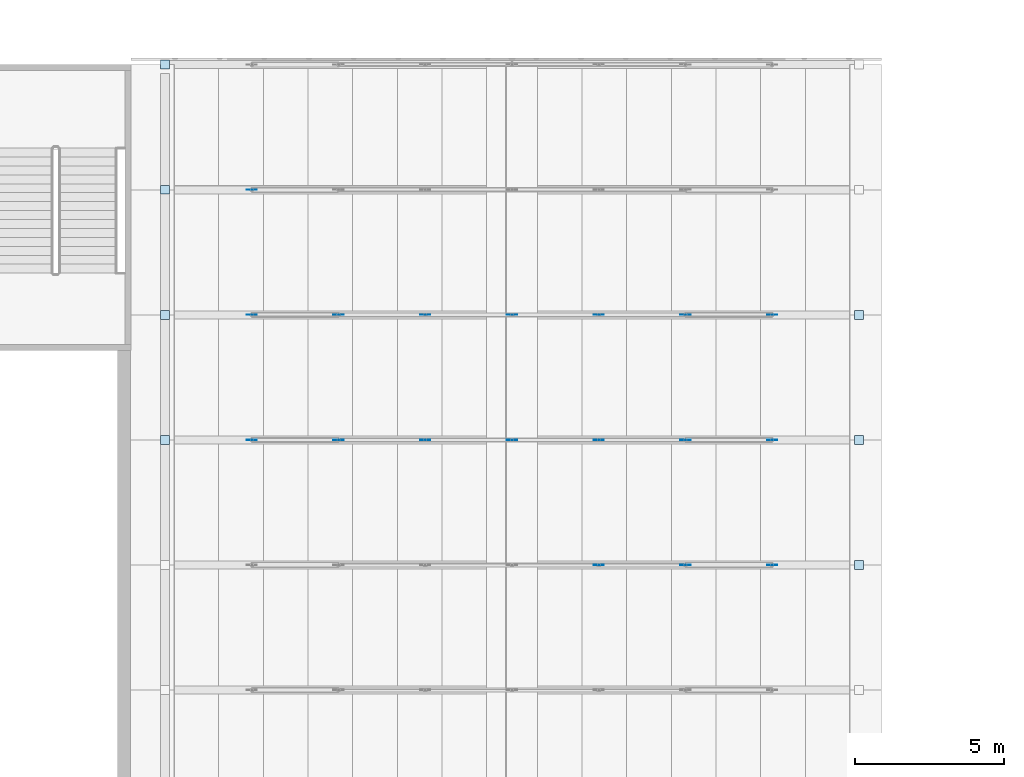
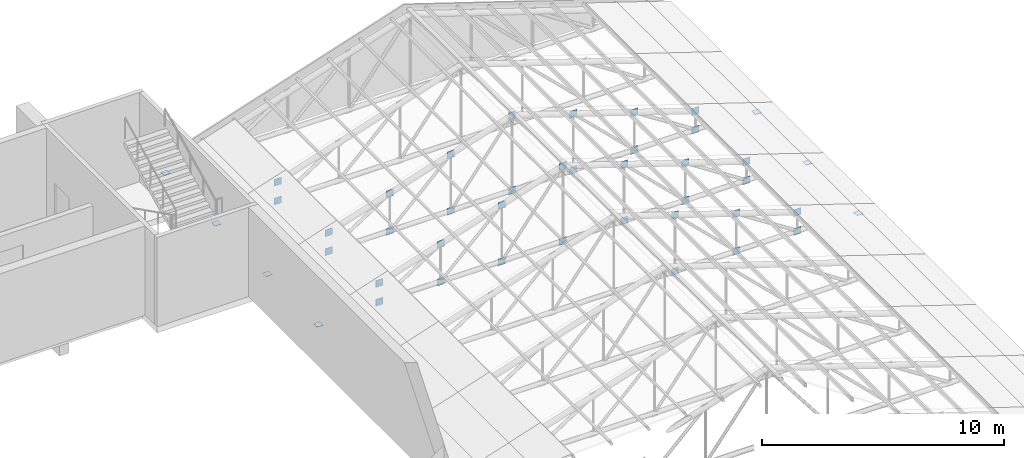
# One storey, part 77 of 95: 43 plates.
"""IFC4 building model written with IfcOpenShell, lengths in metres."""

import ifcopenshell
import ifcopenshell.guid

model = None  # the IFC model being written
_history = None  # IfcOwnerHistory: only IFC2X3 demands one
_inside = {}  # id of a spatial element -> (the spatial element, [elements in it])
_under = {}  # id of a project, library or spatial element -> (it, [spatial elements below it])
_declared = {}  # id of a project -> (the project, [libraries it declares])
_typed = {}  # id of a type object -> (the type object, [elements of that type])
_made_of = {}  # id of a material, layer set ... -> (it, [elements and type objects made of it])


def new_model(schema):
    """Start an empty IFC model of exactly this schema.

    Asked for "IFC4X3", IfcOpenShell would pick the latest addendum, in which some entities
    have other attributes; the version numbers below select the first issue.
    IFC2X3 requires an IfcOwnerHistory on every rooted entity: one is made here for all.
    """
    global model, _history
    if schema == "IFC4X3":
        model = ifcopenshell.file(schema_version=(4, 3, 0, 0))
    else:
        model = ifcopenshell.file(schema=schema)
    _inside.clear()
    _under.clear()
    _declared.clear()
    _typed.clear()
    _made_of.clear()
    _history = None
    if model.schema == "IFC2X3":
        org = make("IfcOrganization", Name="unknown")
        user = make(
            "IfcPersonAndOrganization",
            ThePerson=make("IfcPerson", FamilyName="unknown"),
            TheOrganization=org,
        )
        app = make(
            "IfcApplication",
            ApplicationDeveloper=org,
            Version="unknown",
            ApplicationFullName="unknown",
            ApplicationIdentifier="unknown",
        )
        _history = make(
            "IfcOwnerHistory",
            OwningUser=user,
            OwningApplication=app,
            ChangeAction="ADDED",
            CreationDate=0,
        )
    return model


def make(cls, **values):
    """One entity of the class cls with the attributes given. An attribute that is None is left unset."""
    return model.create_entity(
        cls, **{name: value for name, value in values.items() if value is not None}
    )


def rooted(cls, **values):
    """An entity with a GlobalId (a new one), such as an element, a storey or a relation."""
    return make(cls, GlobalId=ifcopenshell.guid.new(), OwnerHistory=_history, **values)


def si_unit(unit_type, name, prefix=None):
    """IfcSIUnit, for example si_unit("LENGTHUNIT", "METRE", prefix="MILLI")."""
    return make("IfcSIUnit", UnitType=unit_type, Prefix=prefix, Name=name)


def assignment(units):
    """IfcUnitAssignment: the units of a project."""
    return None if units is None else make("IfcUnitAssignment", Units=units)


def point(xyz):
    """IfcCartesianPoint."""
    return None if xyz is None else make("IfcCartesianPoint", Coordinates=xyz)


def direction(xyz):
    """IfcDirection."""
    return None if xyz is None else make("IfcDirection", DirectionRatios=xyz)


def frame(location, z_axis=None, x_axis=None):
    """IfcAxis2Placement3D, a coordinate frame: its origin and axes. An axis left out is left unset."""
    return make(
        "IfcAxis2Placement3D",
        Location=point(location),
        Axis=direction(z_axis),
        RefDirection=direction(x_axis),
    )


def frame_2d(location, x_axis=None):
    """IfcAxis2Placement2D, a coordinate frame in the plane: its origin and x axis."""
    return make(
        "IfcAxis2Placement2D", Location=point(location), RefDirection=direction(x_axis)
    )


def origin():
    """The frame at (0, 0, 0) with its axes left unset."""
    return frame((0.0, 0.0, 0.0))


def origin_2d():
    """The frame at (0, 0) in the plane with its x axis left unset."""
    return frame_2d((0.0, 0.0))


def place(relative_to, where):
    """IfcLocalPlacement: puts the frame where relative to a parent placement (None: the world)."""
    return make(
        "IfcLocalPlacement", PlacementRelTo=relative_to, RelativePlacement=where
    )


def context(
    kind, dimensions, precision=None, world=None, true_north=None, identifier=None
):
    """IfcGeometricRepresentationContext, for example the 3D "Model" context."""
    return make(
        "IfcGeometricRepresentationContext",
        ContextIdentifier=identifier,
        ContextType=kind,
        CoordinateSpaceDimension=dimensions,
        Precision=precision,
        WorldCoordinateSystem=world,
        TrueNorth=true_north,
    )


def subcontext(parent, identifier, kind, view, scale=None):
    """IfcGeometricRepresentationSubContext, for example "Body" below "Model"."""
    return make(
        "IfcGeometricRepresentationSubContext",
        ContextIdentifier=identifier,
        ContextType=kind,
        ParentContext=parent,
        TargetScale=scale,
        TargetView=view,
    )


def project(units=None, contexts=None):
    """IfcProject with its units and contexts."""
    return rooted(
        "IfcProject",
        Name="project",
        RepresentationContexts=contexts,
        UnitsInContext=assignment(units),
    )


def spatial(cls, under=None, at=None, **own):
    """A site, building, storey or space (cls), placed at a placement, below another one or the project."""
    s = rooted(cls, ObjectPlacement=at, **own)
    if under is not None:
        _under.setdefault(under.id(), (under, []))[1].append(s)
    return s


def profile(cls, at=None, kind="AREA", **sizes):
    """A parametric profile (cls). Its sizes go by their IFC names, for example OverallWidth=200.0."""
    return make(cls, ProfileType=kind, Position=at, **sizes)


def rectangle(**sizes):
    """IfcRectangleProfileDef."""
    return profile("IfcRectangleProfileDef", **sizes)


def extrude(swept, where, along, depth):
    """IfcExtrudedAreaSolid: the profile swept, set in the frame where, extruded along a direction by depth."""
    return make(
        "IfcExtrudedAreaSolid",
        SweptArea=swept,
        Position=where,
        ExtrudedDirection=direction(along),
        Depth=depth,
    )


def shape(context_of_items, identifier, shape_type, items):
    """IfcShapeRepresentation: the items that make up one representation, for example the "Body"."""
    return make(
        "IfcShapeRepresentation",
        ContextOfItems=context_of_items,
        RepresentationIdentifier=identifier,
        RepresentationType=shape_type,
        Items=items,
    )


def material(Name=None, Category=None):
    """IfcMaterial."""
    return make("IfcMaterial", Name=Name, Category=Category)


def layer(
    of_material, thickness, ventilated=None, Name=None, Category=None, Priority=None
):
    """IfcMaterialLayer: one layer of a wall or slab, of a material (None: an air gap)."""
    return make(
        "IfcMaterialLayer",
        Material=of_material,
        LayerThickness=thickness,
        IsVentilated=ventilated,
        Name=Name,
        Category=Category,
        Priority=Priority,
    )


def layer_set(layers, Name=None):
    """IfcMaterialLayerSet."""
    return make("IfcMaterialLayerSet", MaterialLayers=layers, LayerSetName=Name)


def made_of(thing, what):
    """Note that an element or type object is made of a material, layer set ...; save() writes the relation."""
    if what is not None:
        _made_of.setdefault(what.id(), (what, []))[1].append(thing)
    return thing


def type_object(cls, material=None, **own):
    """A type object (cls), such as IfcWallType, which elements share."""
    return made_of(rooted(cls, **own), material)


def element(
    cls,
    number,
    at=None,
    inside=None,
    cuts=None,
    type_object=None,
    material=None,
    context=None,
    identifier="Body",
    shape_type=None,
    held_by="IfcProductDefinitionShape",
    body=None,
    shapes=None,
    **own,
):
    """One element of the class cls, such as IfcWall. Its Tag is "e" and its number.

    at: its placement. inside: the storey or other place that contains it. cuts: it is an
    opening in that element (IfcRelVoidsElement). A single representation is given by context,
    identifier, shape_type and body (its items); several are given by shapes. held_by: the class
    of the entity that holds the representations. save() writes the other relations.
    """
    e = rooted(cls, Tag="e%d" % number, ObjectPlacement=at, **own)
    if body is not None:
        shapes = [shape(context, identifier, shape_type, body)]
    if shapes is not None:
        e.Representation = make(held_by, Representations=shapes)
    if inside is not None:
        _inside.setdefault(inside.id(), (inside, []))[1].append(e)
    if cuts is not None:
        rooted(
            "IfcRelVoidsElement", RelatingBuildingElement=cuts, RelatedOpeningElement=e
        )
    if type_object is not None:
        _typed.setdefault(type_object.id(), (type_object, []))[1].append(e)
    return made_of(e, material)


def aggregate(whole, parts):
    """IfcRelAggregates: a whole, such as a stair, and the parts it consists of."""
    return rooted("IfcRelAggregates", RelatingObject=whole, RelatedObjects=parts)


def save(model, path):
    """Write the relations noted so far, then the file.

    IfcRelAggregates (storeys below a building ...), IfcRelContainedInSpatialStructure (elements
    in a storey), IfcRelDefinesByType, IfcRelAssociatesMaterial and IfcRelDeclares: one each for
    every whole, place, type object, material and project.
    """
    for whole, parts in _under.values():
        aggregate(whole, parts)
    for where, things in _inside.values():
        rooted(
            "IfcRelContainedInSpatialStructure",
            RelatedElements=things,
            RelatingStructure=where,
        )
    for kind, things in _typed.values():
        rooted("IfcRelDefinesByType", RelatedObjects=things, RelatingType=kind)
    for what, things in _made_of.values():
        rooted("IfcRelAssociatesMaterial", RelatedObjects=things, RelatingMaterial=what)
    for by, libraries in _declared.values():
        rooted("IfcRelDeclares", RelatingContext=by, RelatedDefinitions=libraries)
    model.write(path)


model = new_model("IFC4")

# Units and contexts
model_context = context("Model", 3, precision=1e-05, world=origin(), true_north=direction((0.0, 1.0)))
body_context = subcontext(model_context, "Body", "Model", "MODEL_VIEW")
ifc_project = project(units=[si_unit("LENGTHUNIT", "METRE"), si_unit("AREAUNIT", "SQUARE_METRE"), si_unit("VOLUMEUNIT", "CUBIC_METRE"), si_unit("PLANEANGLEUNIT", "RADIAN"), si_unit("MASSUNIT", "GRAM", prefix="KILO")], contexts=[model_context])

# Site, building, storey
site_placement = place(None, origin())
site = spatial("IfcSite", under=ifc_project, at=site_placement, CompositionType="ELEMENT")
building_placement = place(site_placement, origin())
building = spatial("IfcBuilding", under=site, at=building_placement, Name="Kiln Court Media Centre", CompositionType="ELEMENT")
storey_placement = place(building_placement, frame((0.0, 0.0, 24.60009765625)))
storey = spatial("IfcBuildingStorey", under=building, at=storey_placement, Name="L05", CompositionType="ELEMENT", Elevation=24.60009765625)

# Plates
ifc_material_1 = material(Name="Steel ASTM A572 Gr 50", Category="steel")
ifc_layer_1 = layer(ifc_material_1, 0.01611328125)
ifc_layer_set_1 = layer_set([ifc_layer_1], Name="Steel ASTM A572 Gr 50 300x300x16 connection plate")
plate_type_1 = type_object("IfcPlateType", Name="Steel ASTM A572 Gr 50 300x300x16 connection plate", PredefinedType="USERDEFINED", material=ifc_layer_set_1)
for number, where, z_axis, x_axis, name in (
    (1, (58.050048828125, 50.39990234375, -0.152099609375), (0.0, 0.0, 1.0), (1.0, 0.0, 0.0), "foyer truss FT-07 east bearing connection plate"),
    (2, (34.75, 54.60009765625, -0.152099609375), (0.0, 0.0, 1.0), (1.0, 0.0, 0.0), "foyer truss FT-08 west bearing connection plate"),
    (3, (58.050048828125, 54.60009765625, -0.152099609375), (0.0, 0.0, 1.0), (1.0, 0.0, 0.0), "foyer truss FT-08 east bearing connection plate"),
    (4, (34.75, 58.800048828125, -0.152099609375), (0.0, 0.0, 1.0), (1.0, 0.0, 0.0), "foyer truss FT-09 west bearing connection plate"),
    (5, (58.050048828125, 58.800048828125, -0.152099609375), (0.0, 0.0, 1.0), (1.0, 0.0, 0.0), "foyer truss FT-09 east bearing connection plate"),
    (6, (34.75, 63.0, -0.152099609375), (0.0, 0.0, 1.0), (1.0, 0.0, 0.0), "foyer truss FT-10 west bearing connection plate"),
    (7, (34.75, 67.199951171875, -0.152099609375), (0.0, 0.0, 1.0), (1.0, 0.0, 0.0), "foyer truss FT-11 west bearing connection plate"),
):
    element("IfcPlate", number, at=place(storey_placement, frame(where, z_axis=z_axis, x_axis=x_axis)), inside=storey, type_object=plate_type_1, Name=name, ObjectType="CONNECTION PLATE", PredefinedType="USERDEFINED", context=body_context, shape_type="SweptSolid", body=[
        extrude(rectangle(XDim=0.300048828125, YDim=0.300048828125, at=origin_2d()), origin(), (0.0, 0.0, 1.0), 0.01611328125),
    ])
ifc_material_2 = material(Name="Steel ASTM A572 Gr 50", Category="steel")
ifc_layer_2 = layer(ifc_material_2, 0.010009765625)
ifc_layer_set_2 = layer_set([ifc_layer_2], Name="Steel ASTM A572 Gr 50 350x350x10 connection plate FT")
plate_type_2 = type_object("IfcPlateType", Name="Steel ASTM A572 Gr 50 350x350x10 connection plate FT", PredefinedType="USERDEFINED", material=ifc_layer_set_2)
for number, where, z_axis, x_axis, name in (
    (8, (37.66259765625, 54.60009765625, -0.18896484375), (0.0, 0.0, 1.0), (1.0, 0.0, 0.0), "FT node connection plate"),
    (9, (37.66259765625, 54.60009765625, 0.757568359375), (0.0, 0.0, 1.0), (1.0, 0.0, 0.0), "FT node connection plate"),
    (10, (37.66259765625, 58.800048828125, -0.18896484375), (0.0, 0.0, 1.0), (1.0, 0.0, 0.0), "FT node connection plate"),
    (11, (37.66259765625, 58.800048828125, 0.757568359375), (0.0, 0.0, 1.0), (1.0, 0.0, 0.0), "FT node connection plate"),
    (12, (37.66259765625, 63.0, -0.18896484375), (0.0, 0.0, 1.0), (1.0, 0.0, 0.0), "FT node connection plate"),
    (13, (37.66259765625, 63.0, 0.757568359375), (0.0, 0.0, 1.0), (1.0, 0.0, 0.0), "FT node connection plate"),
    (14, (40.574951171875, 54.60009765625, -0.18896484375), (0.0, 0.0, 1.0), (1.0, 0.0, 0.0), "FT node connection plate"),
    (15, (40.574951171875, 54.60009765625, 1.703857421875), (0.0, 0.0, 1.0), (1.0, 0.0, 0.0), "FT node connection plate"),
    (16, (40.574951171875, 58.800048828125, -0.18896484375), (0.0, 0.0, 1.0), (1.0, 0.0, 0.0), "FT node connection plate"),
    (17, (40.574951171875, 58.800048828125, 1.703857421875), (0.0, 0.0, 1.0), (1.0, 0.0, 0.0), "FT node connection plate"),
    (18, (43.487548828125, 54.60009765625, -0.18896484375), (0.0, 0.0, 1.0), (1.0, 0.0, 0.0), "FT node connection plate"),
    (19, (43.487548828125, 54.60009765625, 2.650146484375), (0.0, 0.0, 1.0), (1.0, 0.0, 0.0), "FT node connection plate"),
    (20, (43.487548828125, 58.800048828125, -0.18896484375), (0.0, 0.0, 1.0), (1.0, 0.0, 0.0), "FT node connection plate"),
    (21, (43.487548828125, 58.800048828125, 2.650146484375), (0.0, 0.0, 1.0), (1.0, 0.0, 0.0), "FT node connection plate"),
    (22, (46.39990234375, 54.60009765625, -0.18896484375), (0.0, 0.0, 1.0), (1.0, 0.0, 0.0), "FT node connection plate"),
    (23, (46.39990234375, 54.60009765625, 3.596435546875), (0.0, 0.0, 1.0), (1.0, 0.0, 0.0), "FT node connection plate"),
    (24, (46.39990234375, 58.800048828125, -0.18896484375), (0.0, 0.0, 1.0), (1.0, 0.0, 0.0), "FT node connection plate"),
    (25, (46.39990234375, 58.800048828125, 3.596435546875), (0.0, 0.0, 1.0), (1.0, 0.0, 0.0), "FT node connection plate"),
    (26, (49.3125, 50.39990234375, -0.18896484375), (0.0, 0.0, 1.0), (1.0, 0.0, 0.0), "FT node connection plate"),
    (27, (49.3125, 50.39990234375, 2.650146484375), (0.0, 0.0, 1.0), (1.0, 0.0, 0.0), "FT node connection plate"),
    (28, (49.3125, 54.60009765625, -0.18896484375), (0.0, 0.0, 1.0), (1.0, 0.0, 0.0), "FT node connection plate"),
    (29, (49.3125, 54.60009765625, 2.650146484375), (0.0, 0.0, 1.0), (1.0, 0.0, 0.0), "FT node connection plate"),
    (30, (49.3125, 58.800048828125, -0.18896484375), (0.0, 0.0, 1.0), (1.0, 0.0, 0.0), "FT node connection plate"),
    (31, (49.3125, 58.800048828125, 2.650146484375), (0.0, 0.0, 1.0), (1.0, 0.0, 0.0), "FT node connection plate"),
    (32, (52.22509765625, 50.39990234375, -0.18896484375), (0.0, 0.0, 1.0), (1.0, 0.0, 0.0), "FT node connection plate"),
    (33, (52.22509765625, 50.39990234375, 1.703857421875), (0.0, 0.0, 1.0), (1.0, 0.0, 0.0), "FT node connection plate"),
    (34, (52.22509765625, 54.60009765625, -0.18896484375), (0.0, 0.0, 1.0), (1.0, 0.0, 0.0), "FT node connection plate"),
    (35, (52.22509765625, 54.60009765625, 1.703857421875), (0.0, 0.0, 1.0), (1.0, 0.0, 0.0), "FT node connection plate"),
    (36, (52.22509765625, 58.800048828125, -0.18896484375), (0.0, 0.0, 1.0), (1.0, 0.0, 0.0), "FT node connection plate"),
    (37, (52.22509765625, 58.800048828125, 1.703857421875), (0.0, 0.0, 1.0), (1.0, 0.0, 0.0), "FT node connection plate"),
    (38, (55.137451171875, 50.39990234375, -0.18896484375), (0.0, 0.0, 1.0), (1.0, 0.0, 0.0), "FT node connection plate"),
    (39, (55.137451171875, 50.39990234375, 0.757568359375), (0.0, 0.0, 1.0), (1.0, 0.0, 0.0), "FT node connection plate"),
    (40, (55.137451171875, 54.60009765625, -0.18896484375), (0.0, 0.0, 1.0), (1.0, 0.0, 0.0), "FT node connection plate"),
    (41, (55.137451171875, 54.60009765625, 0.757568359375), (0.0, 0.0, 1.0), (1.0, 0.0, 0.0), "FT node connection plate"),
    (42, (55.137451171875, 58.800048828125, -0.18896484375), (0.0, 0.0, 1.0), (1.0, 0.0, 0.0), "FT node connection plate"),
    (43, (55.137451171875, 58.800048828125, 0.757568359375), (0.0, 0.0, 1.0), (1.0, 0.0, 0.0), "FT node connection plate"),
):
    element("IfcPlate", number, at=place(storey_placement, frame(where, z_axis=z_axis, x_axis=x_axis)), inside=storey, type_object=plate_type_2, Name=name, ObjectType="CONNECTION PLATE", PredefinedType="USERDEFINED", context=body_context, shape_type="SweptSolid", body=[
        extrude(rectangle(XDim=0.35009765625, YDim=0.010009765625, at=origin_2d()), origin(), (0.0, 0.0, 1.0), 0.35009765625),
    ])

save(model, "model.ifc")
